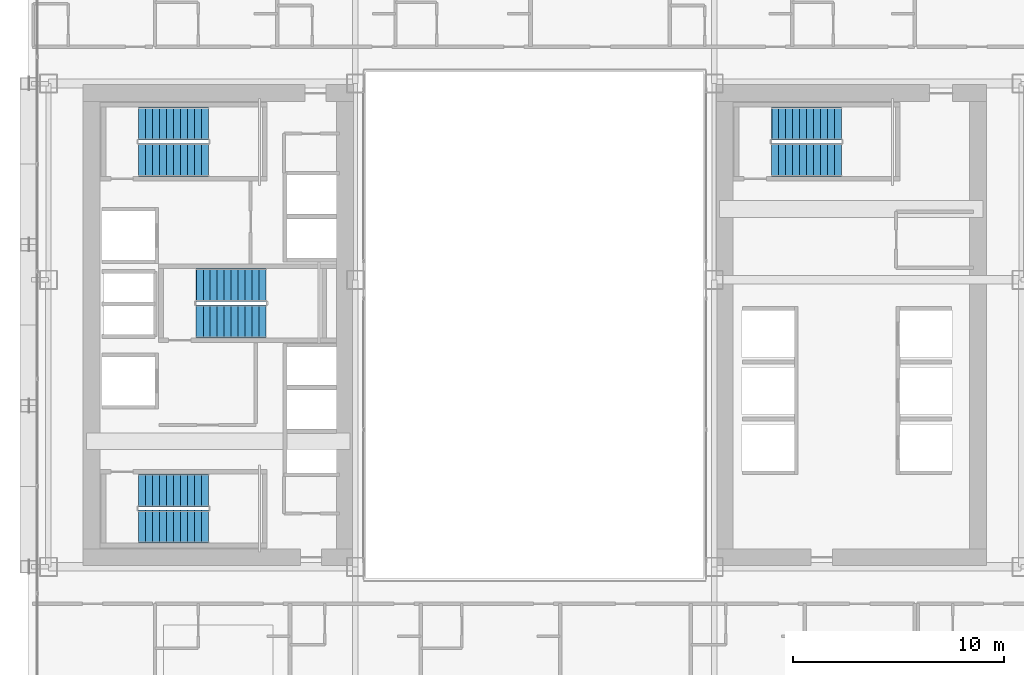
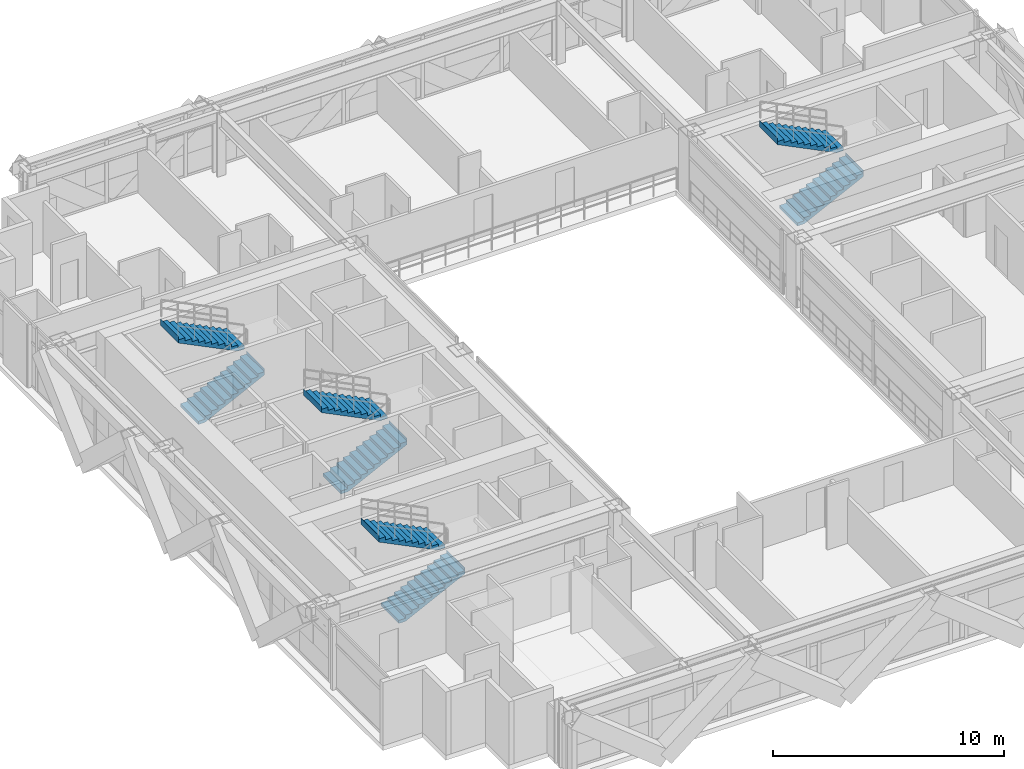
# One storey, part 37 of 41: 8 stair flights, 4 elements without a shape of their own.
"""IFC4 building model written with IfcOpenShell, lengths in metres."""

from ifc_helpers import new_model, si_unit, direction, frame, origin, place, context, subcontext, project, spatial, polyline, outline, extrude, source, transform, mapped, material, type_object, element, aggregate, save


model = new_model("IFC4")

# Units and contexts
model_context = context("Model", 3, precision=1e-05, world=origin(), true_north=direction((0.0, 1.0)))
body_context = subcontext(model_context, "Body", "Model", "MODEL_VIEW")
ifc_project = project(units=[si_unit("LENGTHUNIT", "METRE"), si_unit("AREAUNIT", "SQUARE_METRE"), si_unit("VOLUMEUNIT", "CUBIC_METRE"), si_unit("PLANEANGLEUNIT", "RADIAN"), si_unit("MASSUNIT", "GRAM", prefix="KILO")], contexts=[model_context])

# Site, building, storey
site_placement = place(None, origin())
site = spatial("IfcSite", under=ifc_project, at=site_placement, CompositionType="ELEMENT")
building_placement = place(site_placement, origin())
building = spatial("IfcBuilding", under=site, at=building_placement, Name="Ocotamira Hotel", CompositionType="ELEMENT")
storey_placement = place(building_placement, frame((0.0, 0.0, 52.800048828125)))
storey = spatial("IfcBuildingStorey", under=building, at=storey_placement, Name="L12", CompositionType="ELEMENT", Elevation=52.800048828125)

# Stair, stair flights
ifc_material = material(Name="Concrete C40/50", Category="concrete")
stair_type = type_object("IfcStairType", Name="ST-CORE-1560", PredefinedType="HALF_TURN_STAIR", material=ifc_material)
stair_1_placement = place(storey_placement, origin())
stair_1 = element("IfcStair", 1, at=stair_1_placement, inside=storey, type_object=stair_type, Name="L12 Exit Stair ST-1", PredefinedType="HALF_TURN_STAIR")
stair_flight_type = type_object("IfcStairFlightType", Name="STF-CORE-1560", PredefinedType="STRAIGHT", material=ifc_material)
shared_shape = source(origin(), body_context, "Body", "SweptSolid", [
    extrude(outline(polyline([(-0.00390625, 0.0), (-0.00390625, 0.16357421875), (0.330078125, 0.16357421875), (0.330078125, 0.327392578125), (0.659912109375, 0.327392578125), (0.659912109375, 0.490966796875), (0.989990234375, 0.490966796875), (0.989990234375, 0.654541015625), (1.320068359375, 0.654541015625), (1.320068359375, 0.818115234375), (1.64990234375, 0.818115234375), (1.64990234375, 0.98193359375), (1.97998046875, 0.98193359375), (1.97998046875, 1.1455078125), (2.31005859375, 1.1455078125), (2.31005859375, 1.30908203125), (2.639892578125, 1.30908203125), (2.639892578125, 1.47265625), (2.969970703125, 1.47265625), (2.969970703125, 1.636474609375), (3.300048828125, 1.636474609375), (3.300048828125, 1.800048828125), (3.303955078125, 1.800048828125), (3.303955078125, 1.468994140625), (0.33740234375, 0.0), (-0.00390625, 0.0)])), frame((0.0, 0.780029296875, 0.0), z_axis=(0.0, -1.0, 0.0), x_axis=(1.0, 0.0, 0.0)), (0.0, 0.0, 1.0), 1.56005859375),
])
stair_flight_1_placement = place(storey_placement, frame((13.22998046875, 16.449951171875, 0.0), z_axis=(0.0, 0.0, 1.0), x_axis=(1.0, 0.0, 0.0)))
stair_flight_1 = element("IfcStairFlight", 2, at=stair_flight_1_placement, type_object=stair_flight_type, Name="ST-1 flight 1", NumberOfRisers=11, NumberOfTreads=10, PredefinedType="STRAIGHT", RiserHeight=0.163636364, TreadLength=0.33, context=body_context, shape_type="MappedRepresentation", body=[
    mapped(shared_shape, transform((0.0, 0.0, 0.0), scale=1.0)),
])
stair_flight_2_placement = place(storey_placement, frame((16.530029296875, 18.169921875, 1.800048828125), z_axis=(0.0, 0.0, 1.0), x_axis=(-1.0, 0.0, 0.0)))
stair_flight_2 = element("IfcStairFlight", 3, at=stair_flight_2_placement, type_object=stair_flight_type, Name="ST-1 flight 2", NumberOfRisers=11, NumberOfTreads=10, PredefinedType="STRAIGHT", RiserHeight=0.163636364, TreadLength=0.33, context=body_context, shape_type="MappedRepresentation", body=[
    mapped(shared_shape, transform((0.0, 0.0, 0.0), scale=1.0)),
])
aggregate(stair_1, [stair_flight_1, stair_flight_2])

stair_2_placement = place(storey_placement, origin())
stair_2 = element("IfcStair", 4, at=stair_2_placement, inside=storey, type_object=stair_type, Name="L12 Exit Stair ST-2", PredefinedType="HALF_TURN_STAIR")
stair_flight_3_placement = place(storey_placement, frame((13.22998046875, 33.830078125, 0.0), z_axis=(0.0, 0.0, 1.0), x_axis=(1.0, 0.0, 0.0)))
stair_flight_3 = element("IfcStairFlight", 5, at=stair_flight_3_placement, type_object=stair_flight_type, Name="ST-2 flight 1", NumberOfRisers=11, NumberOfTreads=10, PredefinedType="STRAIGHT", RiserHeight=0.163636364, TreadLength=0.33, context=body_context, shape_type="MappedRepresentation", body=[
    mapped(shared_shape, transform((0.0, 0.0, 0.0), scale=1.0)),
])
stair_flight_4_placement = place(storey_placement, frame((16.530029296875, 35.550048828125, 1.800048828125), z_axis=(0.0, 0.0, 1.0), x_axis=(-1.0, 0.0, 0.0)))
stair_flight_4 = element("IfcStairFlight", 6, at=stair_flight_4_placement, type_object=stair_flight_type, Name="ST-2 flight 2", NumberOfRisers=11, NumberOfTreads=10, PredefinedType="STRAIGHT", RiserHeight=0.163636364, TreadLength=0.33, context=body_context, shape_type="MappedRepresentation", body=[
    mapped(shared_shape, transform((0.0, 0.0, 0.0), scale=1.0)),
])
aggregate(stair_2, [stair_flight_3, stair_flight_4])

stair_3_placement = place(storey_placement, origin())
stair_3 = element("IfcStair", 7, at=stair_3_placement, inside=storey, type_object=stair_type, Name="L12 Exit Stair ST-3", PredefinedType="HALF_TURN_STAIR")
stair_flight_5_placement = place(storey_placement, frame((15.9599609375, 26.179931640625, 0.0), z_axis=(0.0, 0.0, 1.0), x_axis=(1.0, 0.0, 0.0)))
stair_flight_5 = element("IfcStairFlight", 8, at=stair_flight_5_placement, type_object=stair_flight_type, Name="ST-3 flight 1", NumberOfRisers=11, NumberOfTreads=10, PredefinedType="STRAIGHT", RiserHeight=0.163636364, TreadLength=0.33, context=body_context, shape_type="MappedRepresentation", body=[
    mapped(shared_shape, transform((0.0, 0.0, 0.0), scale=1.0)),
])
stair_flight_6_placement = place(storey_placement, frame((19.260009765625, 27.89990234375, 1.800048828125), z_axis=(0.0, 0.0, 1.0), x_axis=(-1.0, 0.0, 0.0)))
stair_flight_6 = element("IfcStairFlight", 9, at=stair_flight_6_placement, type_object=stair_flight_type, Name="ST-3 flight 2", NumberOfRisers=11, NumberOfTreads=10, PredefinedType="STRAIGHT", RiserHeight=0.163636364, TreadLength=0.33, context=body_context, shape_type="MappedRepresentation", body=[
    mapped(shared_shape, transform((0.0, 0.0, 0.0), scale=1.0)),
])
aggregate(stair_3, [stair_flight_5, stair_flight_6])

stair_4_placement = place(storey_placement, origin())
stair_4 = element("IfcStair", 10, at=stair_4_placement, inside=storey, type_object=stair_type, Name="L12 Exit Stair ST-4", PredefinedType="HALF_TURN_STAIR")
stair_flight_7_placement = place(storey_placement, frame((43.22998046875, 33.830078125, 0.0), z_axis=(0.0, 0.0, 1.0), x_axis=(1.0, 0.0, 0.0)))
stair_flight_7 = element("IfcStairFlight", 11, at=stair_flight_7_placement, type_object=stair_flight_type, Name="ST-4 flight 1", NumberOfRisers=11, NumberOfTreads=10, PredefinedType="STRAIGHT", RiserHeight=0.163636364, TreadLength=0.33, context=body_context, shape_type="MappedRepresentation", body=[
    mapped(shared_shape, transform((0.0, 0.0, 0.0), scale=1.0)),
])
stair_flight_8_placement = place(storey_placement, frame((46.530029296875, 35.550048828125, 1.800048828125), z_axis=(0.0, 0.0, 1.0), x_axis=(-1.0, 0.0, 0.0)))
stair_flight_8 = element("IfcStairFlight", 12, at=stair_flight_8_placement, type_object=stair_flight_type, Name="ST-4 flight 2", NumberOfRisers=11, NumberOfTreads=10, PredefinedType="STRAIGHT", RiserHeight=0.163636364, TreadLength=0.33, context=body_context, shape_type="MappedRepresentation", body=[
    mapped(shared_shape, transform((0.0, 0.0, 0.0), scale=1.0)),
])
aggregate(stair_4, [stair_flight_7, stair_flight_8])

save(model, "model.ifc")
